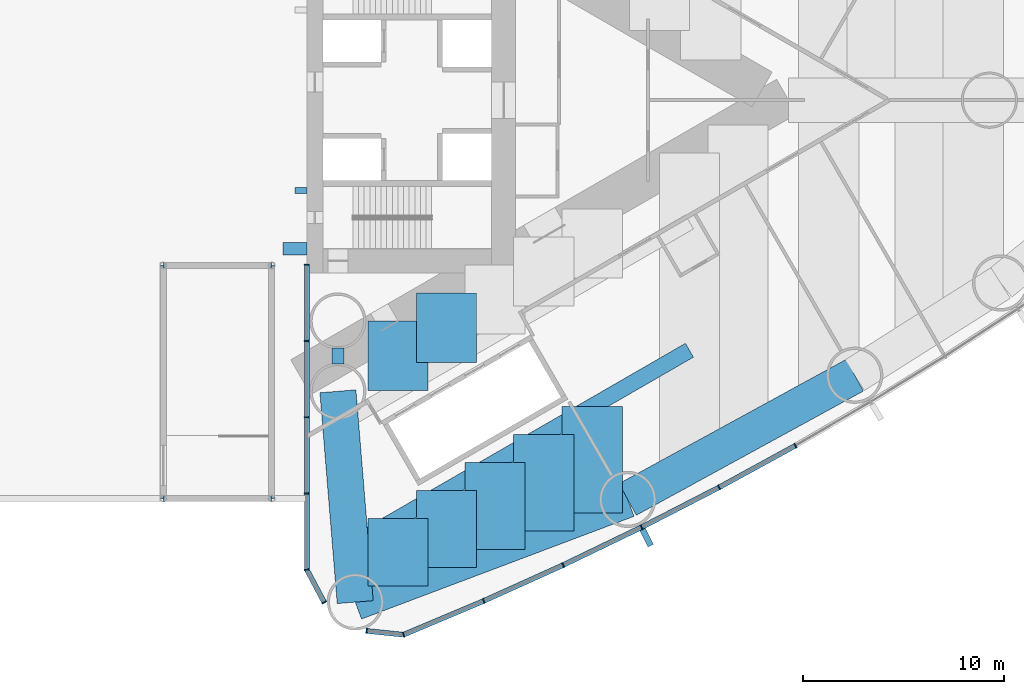
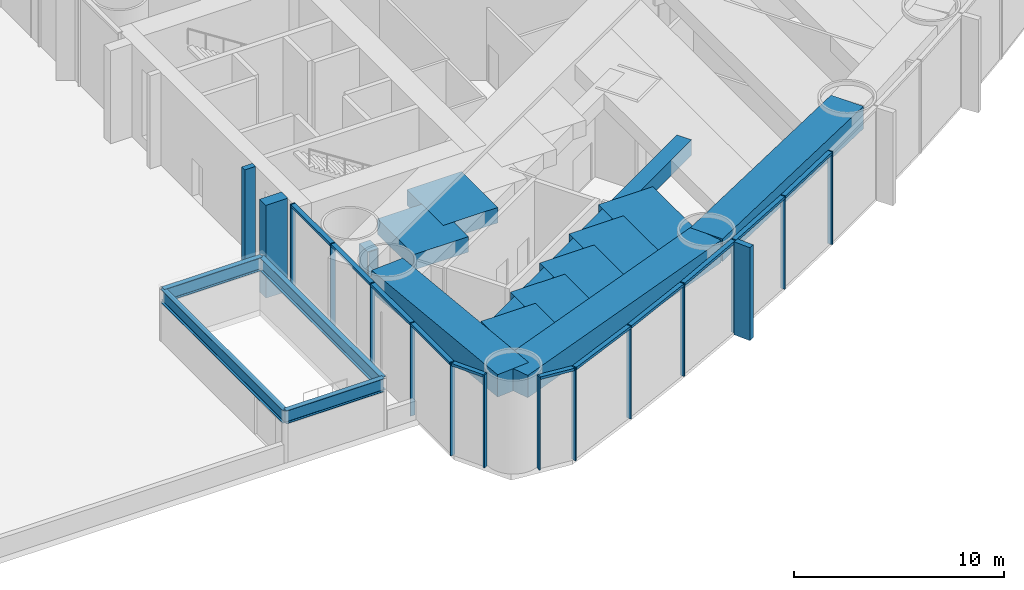
# One storey, part 10 of 23: 27 members, 16 beams, 2 elements without a shape of their own.
"""IFC4 building model written with IfcOpenShell, lengths in metres."""

from ifc_helpers import new_model, si_unit, direction, frame, origin, origin_2d, place, context, subcontext, project, spatial, rectangle, hollow_rectangle, i_section, extrude, material, material_profile, profile_set, type_object, element, aggregate, save


model = new_model("IFC4")

# Units and contexts
model_context = context("Model", 3, precision=1e-05, world=origin(), true_north=direction((0.0, 1.0)))
body_context = subcontext(model_context, "Body", "Model", "MODEL_VIEW")
ifc_project = project(units=[si_unit("LENGTHUNIT", "METRE"), si_unit("AREAUNIT", "SQUARE_METRE"), si_unit("VOLUMEUNIT", "CUBIC_METRE"), si_unit("PLANEANGLEUNIT", "RADIAN"), si_unit("MASSUNIT", "GRAM", prefix="KILO")], contexts=[model_context])

# Site, building, storey
site_placement = place(None, origin())
site = spatial("IfcSite", under=ifc_project, at=site_placement, CompositionType="ELEMENT")
building_placement = place(site_placement, origin())
building = spatial("IfcBuilding", under=site, at=building_placement, Name="Lancet Gate Hotel", CompositionType="ELEMENT")
storey_placement = place(building_placement, frame((0.0, 0.0, 12.60009765625)))
storey = spatial("IfcBuildingStorey", under=building, at=storey_placement, Name="L02", CompositionType="ELEMENT", Elevation=12.60009765625)

# Curtain wall, members
ifc_material_1 = material(Name="Aluminium curtain wall", Category="aluminium")
curtain_wall_type = type_object("IfcCurtainWallType", Name="Podium curtain wall", PredefinedType="USERDEFINED", material=ifc_material_1)
curtain_wall_1_placement = place(storey_placement, origin())
curtain_wall_1 = element("IfcCurtainWall", 1, at=curtain_wall_1_placement, inside=storey, type_object=curtain_wall_type, Name="T2 L02 curtain wall 1", ObjectType="UNITISED CURTAIN WALL", PredefinedType="USERDEFINED")
ifc_material_2 = material(Name="Aluminium mullion", Category="aluminium")
ifc_material_profile_1 = material_profile(ifc_material_2, rectangle(XDim=0.06494140625, YDim=0.25, at=origin_2d()), Name="MULLION 65x250")
ifc_profile_set_1 = profile_set([ifc_material_profile_1], Name="Aluminium mullion")
member_type_1 = type_object("IfcMemberType", Name="Aluminium mullion 65x250", PredefinedType="MULLION", material=ifc_profile_set_1)
member_1_placement = place(storey_placement, frame((27.5, -8.199951171875, 0.0), z_axis=(0.0, 0.0, 1.0), x_axis=(0.0, -1.0, 0.0)))
member_1 = element("IfcMember", 2, at=member_1_placement, type_object=member_type_1, Name="T2 L02 curtain wall 1 mullion 1", PredefinedType="MULLION", context=body_context, shape_type="SweptSolid", body=[
    extrude(rectangle(XDim=0.06494140625, YDim=0.25, at=origin_2d()), origin(), (0.0, 0.0, 1.0), 5.39990234375),
])
member_2_placement = place(storey_placement, frame((27.5, -11.99609375, 0.0), z_axis=(0.0, 0.0, 1.0), x_axis=(0.0, -1.0, 0.0)))
member_2 = element("IfcMember", 3, at=member_2_placement, type_object=member_type_1, Name="T2 L02 curtain wall 1 mullion 2", PredefinedType="MULLION", context=body_context, shape_type="SweptSolid", body=[
    extrude(rectangle(XDim=0.06494140625, YDim=0.25, at=origin_2d()), origin(), (0.0, 0.0, 1.0), 5.39990234375),
])
member_3_placement = place(storey_placement, frame((27.5, -15.79248046875, 0.0), z_axis=(0.0, 0.0, 1.0), x_axis=(0.0, -1.0, 0.0)))
member_3 = element("IfcMember", 4, at=member_3_placement, type_object=member_type_1, Name="T2 L02 curtain wall 1 mullion 3", PredefinedType="MULLION", context=body_context, shape_type="SweptSolid", body=[
    extrude(rectangle(XDim=0.06494140625, YDim=0.25, at=origin_2d()), origin(), (0.0, 0.0, 1.0), 5.39990234375),
])
member_4_placement = place(storey_placement, frame((27.5, -19.588623046875, 0.0), z_axis=(0.0, 0.0, 1.0), x_axis=(0.0, -1.0, 0.0)))
member_4 = element("IfcMember", 5, at=member_4_placement, type_object=member_type_1, Name="T2 L02 curtain wall 1 mullion 4", PredefinedType="MULLION", context=body_context, shape_type="SweptSolid", body=[
    extrude(rectangle(XDim=0.06494140625, YDim=0.25, at=origin_2d()), origin(), (0.0, 0.0, 1.0), 5.39990234375),
])
member_5_placement = place(storey_placement, frame((27.5, -23.384765625, 0.0), z_axis=(0.0, 0.0, 1.0), x_axis=(0.157751691459, -0.987478811844, 0.0)))
member_5 = element("IfcMember", 6, at=member_5_placement, type_object=member_type_1, Name="T2 L02 curtain wall 1 mullion 5", PredefinedType="MULLION", context=body_context, shape_type="SweptSolid", body=[
    extrude(rectangle(XDim=0.06494140625, YDim=0.25, at=origin_2d()), origin(), (0.0, 0.0, 1.0), 5.39990234375),
])
member_6_placement = place(storey_placement, frame((28.366455078125, -25.012451171875, 0.0), z_axis=(0.0, 0.0, 1.0), x_axis=(0.469897827284, -0.882720811987, 0.0)))
member_6 = element("IfcMember", 7, at=member_6_placement, type_object=member_type_1, Name="T2 L02 curtain wall 1 mullion 6", PredefinedType="MULLION", context=body_context, shape_type="SweptSolid", body=[
    extrude(rectangle(XDim=0.06494140625, YDim=0.25, at=origin_2d()), origin(), (0.0, 0.0, 1.0), 5.39990234375),
])

curtain_wall_2_placement = place(storey_placement, origin())
curtain_wall_2 = element("IfcCurtainWall", 8, at=curtain_wall_2_placement, inside=storey, type_object=curtain_wall_type, Name="T2 L02 curtain wall 2", ObjectType="UNITISED CURTAIN WALL", PredefinedType="USERDEFINED")
member_7_placement = place(storey_placement, frame((30.48388671875, -26.4375, 0.0), z_axis=(0.0, 0.0, 1.0), x_axis=(0.994672262412, -0.10308778001, 0.0)))
member_7 = element("IfcMember", 9, at=member_7_placement, type_object=member_type_1, Name="T2 L02 curtain wall 2 mullion 1", PredefinedType="MULLION", context=body_context, shape_type="SweptSolid", body=[
    extrude(rectangle(XDim=0.06494140625, YDim=0.25, at=origin_2d()), origin(), (0.0, 0.0, 1.0), 5.39990234375),
])
member_8_placement = place(storey_placement, frame((32.3173828125, -26.62744140625, 0.0), z_axis=(0.0, 0.0, 1.0), x_axis=(0.968721492963, 0.248150496819, 0.0)))
member_8 = element("IfcMember", 10, at=member_8_placement, type_object=member_type_1, Name="T2 L02 curtain wall 2 mullion 2", PredefinedType="MULLION", context=body_context, shape_type="SweptSolid", body=[
    extrude(rectangle(XDim=0.06494140625, YDim=0.25, at=origin_2d()), origin(), (0.0, 0.0, 1.0), 5.39990234375),
])
member_9_placement = place(storey_placement, frame((36.31494140625, -24.943603515625, 0.0), z_axis=(0.0, 0.0, 1.0), x_axis=(0.916578705089, 0.399854320193, 0.0)))
member_9 = element("IfcMember", 11, at=member_9_placement, type_object=member_type_1, Name="T2 L02 curtain wall 2 mullion 3", PredefinedType="MULLION", context=body_context, shape_type="SweptSolid", body=[
    extrude(rectangle(XDim=0.06494140625, YDim=0.25, at=origin_2d()), origin(), (0.0, 0.0, 1.0), 5.39990234375),
])
member_10_placement = place(storey_placement, frame((40.2685546875, -23.15869140625, 0.0), z_axis=(0.0, 0.0, 1.0), x_axis=(0.906104948671, 0.423052977762, 0.0)))
member_10 = element("IfcMember", 12, at=member_10_placement, type_object=member_type_1, Name="T2 L02 curtain wall 2 mullion 4", PredefinedType="MULLION", context=body_context, shape_type="SweptSolid", body=[
    extrude(rectangle(XDim=0.06494140625, YDim=0.25, at=origin_2d()), origin(), (0.0, 0.0, 1.0), 5.39990234375),
])
member_11_placement = place(storey_placement, frame((44.17529296875, -21.273681640625, 0.0), z_axis=(0.0, 0.0, 1.0), x_axis=(0.895044147438, 0.445977548917, 0.0)))
member_11 = element("IfcMember", 13, at=member_11_placement, type_object=member_type_1, Name="T2 L02 curtain wall 2 mullion 5", PredefinedType="MULLION", context=body_context, shape_type="SweptSolid", body=[
    extrude(rectangle(XDim=0.06494140625, YDim=0.25, at=origin_2d()), origin(), (0.0, 0.0, 1.0), 5.39990234375),
])
member_12_placement = place(storey_placement, frame((48.03271484375, -19.2900390625, 0.0), z_axis=(0.0, 0.0, 1.0), x_axis=(0.88340346743, 0.468613181347, 0.0)))
member_12 = element("IfcMember", 14, at=member_12_placement, type_object=member_type_1, Name="T2 L02 curtain wall 2 mullion 6", PredefinedType="MULLION", context=body_context, shape_type="SweptSolid", body=[
    extrude(rectangle(XDim=0.06494140625, YDim=0.25, at=origin_2d()), origin(), (0.0, 0.0, 1.0), 5.39990234375),
])
member_13_placement = place(storey_placement, frame((51.838623046875, -17.208740234375, 0.0), z_axis=(0.0, 0.0, 1.0), x_axis=(0.871190450382, 0.490945209941, 0.0)))
member_13 = element("IfcMember", 15, at=member_13_placement, type_object=member_type_1, Name="T2 L02 curtain wall 2 mullion 7", PredefinedType="MULLION", context=body_context, shape_type="SweptSolid", body=[
    extrude(rectangle(XDim=0.06494140625, YDim=0.25, at=origin_2d()), origin(), (0.0, 0.0, 1.0), 5.39990234375),
])

# Member
ifc_material_3 = material(Name="Aluminium transom", Category="aluminium")
ifc_material_profile_2 = material_profile(ifc_material_3, rectangle(XDim=0.25, YDim=0.14990234375, at=origin_2d()), Name="TRANSOM 250x150")
ifc_profile_set_2 = profile_set([ifc_material_profile_2], Name="Aluminium transom")
member_type_2 = type_object("IfcMemberType", Name="Aluminium transom 250x150", PredefinedType="USERDEFINED", material=ifc_profile_set_2)
member_14_placement = place(storey_placement, frame((27.5, -8.232421875, 5.324951171875), z_axis=(0.0, -1.0, 0.0), x_axis=(1.0, 0.0, 0.0)))
member_14 = element("IfcMember", 16, at=member_14_placement, type_object=member_type_2, Name="T2 L02 curtain wall 1 transom 1", ObjectType="TRANSOM", PredefinedType="USERDEFINED", context=body_context, shape_type="SweptSolid", body=[
    extrude(rectangle(XDim=0.25, YDim=0.14990234375, at=origin_2d()), origin(), (0.0, 0.0, 1.0), 3.731201171875),
])

member_15_placement = place(storey_placement, frame((27.5, -12.02880859375, 5.324951171875), z_axis=(0.0, -1.0, 0.0), x_axis=(1.0, 0.0, 0.0)))
member_15 = element("IfcMember", 17, at=member_15_placement, type_object=member_type_2, Name="T2 L02 curtain wall 1 transom 2", ObjectType="TRANSOM", PredefinedType="USERDEFINED", context=body_context, shape_type="SweptSolid", body=[
    extrude(rectangle(XDim=0.25, YDim=0.14990234375, at=origin_2d()), origin(), (0.0, 0.0, 1.0), 3.731201171875),
])

member_16_placement = place(storey_placement, frame((27.5, -15.824951171875, 5.324951171875), z_axis=(0.0, -1.0, 0.0), x_axis=(1.0, 0.0, 0.0)))
member_16 = element("IfcMember", 18, at=member_16_placement, type_object=member_type_2, Name="T2 L02 curtain wall 1 transom 3", ObjectType="TRANSOM", PredefinedType="USERDEFINED", context=body_context, shape_type="SweptSolid", body=[
    extrude(rectangle(XDim=0.25, YDim=0.14990234375, at=origin_2d()), origin(), (0.0, 0.0, 1.0), 3.731201171875),
])

member_17_placement = place(storey_placement, frame((27.5, -19.62109375, 5.324951171875), z_axis=(0.0, -1.0, 0.0), x_axis=(1.0, 0.0, 0.0)))
member_17 = element("IfcMember", 19, at=member_17_placement, type_object=member_type_2, Name="T2 L02 curtain wall 1 transom 4", ObjectType="TRANSOM", PredefinedType="USERDEFINED", context=body_context, shape_type="SweptSolid", body=[
    extrude(rectangle(XDim=0.25, YDim=0.14990234375, at=origin_2d()), origin(), (0.0, 0.0, 1.0), 3.731201171875),
])

member_18_placement = place(storey_placement, frame((27.515380859375, -23.41357421875, 5.324951171875), z_axis=(0.469904276347, -0.882717378933, 0.0), x_axis=(0.882717378933, 0.469904276347, 0.0)))
member_18 = element("IfcMember", 20, at=member_18_placement, type_object=member_type_2, Name="T2 L02 curtain wall 1 transom 5", ObjectType="TRANSOM", PredefinedType="USERDEFINED", context=body_context, shape_type="SweptSolid", body=[
    extrude(rectangle(XDim=0.25, YDim=0.14990234375, at=origin_2d()), origin(), (0.0, 0.0, 1.0), 1.779052734375),
])

aggregate(curtain_wall_1, [member_1, member_2, member_3, member_4, member_5, member_6, member_14, member_15, member_16, member_17, member_18])

member_19_placement = place(storey_placement, frame((30.516357421875, -26.440673828125, 5.324951171875), z_axis=(0.994670452051, -0.103105246306, 0.0), x_axis=(0.103105246306, 0.994670452051, 0.0)))
member_19 = element("IfcMember", 21, at=member_19_placement, type_object=member_type_2, Name="T2 L02 curtain wall 2 transom 1", ObjectType="TRANSOM", PredefinedType="USERDEFINED", context=body_context, shape_type="SweptSolid", body=[
    extrude(rectangle(XDim=0.25, YDim=0.14990234375, at=origin_2d()), origin(), (0.0, 0.0, 1.0), 1.7783203125),
])

member_20_placement = place(storey_placement, frame((32.347412109375, -26.61474609375, 5.324951171875), z_axis=(0.92159772617, 0.388146404233, 0.0), x_axis=(-0.388146404233, 0.92159772617, 0.0)))
member_20 = element("IfcMember", 22, at=member_20_placement, type_object=member_type_2, Name="T2 L02 curtain wall 2 transom 2", ObjectType="TRANSOM", PredefinedType="USERDEFINED", context=body_context, shape_type="SweptSolid", body=[
    extrude(rectangle(XDim=0.25, YDim=0.14990234375, at=origin_2d()), origin(), (0.0, 0.0, 1.0), 4.272705078125),
])

member_21_placement = place(storey_placement, frame((36.3447265625, -24.930419921875, 5.324951171875), z_axis=(0.911396871737, 0.411528543589, 0.0), x_axis=(-0.411528543589, 0.911396871737, 0.0)))
member_21 = element("IfcMember", 23, at=member_21_placement, type_object=member_type_2, Name="T2 L02 curtain wall 2 transom 3", ObjectType="TRANSOM", PredefinedType="USERDEFINED", context=body_context, shape_type="SweptSolid", body=[
    extrude(rectangle(XDim=0.25, YDim=0.14990234375, at=origin_2d()), origin(), (0.0, 0.0, 1.0), 4.272705078125),
])

member_22_placement = place(storey_placement, frame((40.2978515625, -23.14453125, 5.324951171875), z_axis=(0.900646499888, 0.434552508035, 0.0), x_axis=(-0.434552508035, 0.900646499888, 0.0)))
member_22 = element("IfcMember", 24, at=member_22_placement, type_object=member_type_2, Name="T2 L02 curtain wall 2 transom 4", ObjectType="TRANSOM", PredefinedType="USERDEFINED", context=body_context, shape_type="SweptSolid", body=[
    extrude(rectangle(XDim=0.25, YDim=0.14990234375, at=origin_2d()), origin(), (0.0, 0.0, 1.0), 4.272705078125),
])

member_23_placement = place(storey_placement, frame((44.2041015625, -21.259033203125, 5.324951171875), z_axis=(0.88929576978, 0.457332520002, 0.0), x_axis=(-0.457332520002, 0.88929576978, 0.0)))
member_23 = element("IfcMember", 25, at=member_23_placement, type_object=member_type_2, Name="T2 L02 curtain wall 2 transom 5", ObjectType="TRANSOM", PredefinedType="USERDEFINED", context=body_context, shape_type="SweptSolid", body=[
    extrude(rectangle(XDim=0.25, YDim=0.14990234375, at=origin_2d()), origin(), (0.0, 0.0, 1.0), 4.272705078125),
])

member_24_placement = place(storey_placement, frame((48.061279296875, -19.2744140625, 5.324951171875), z_axis=(0.877377528879, 0.479800658417, 0.0), x_axis=(-0.479800658417, 0.877377528879, 0.0)))
member_24 = element("IfcMember", 26, at=member_24_placement, type_object=member_type_2, Name="T2 L02 curtain wall 2 transom 6", ObjectType="TRANSOM", PredefinedType="USERDEFINED", context=body_context, shape_type="SweptSolid", body=[
    extrude(rectangle(XDim=0.25, YDim=0.14990234375, at=origin_2d()), origin(), (0.0, 0.0, 1.0), 4.272705078125),
])

# Beams
ifc_material_4 = material(Name="Concrete C50/60", Category="concrete")
ifc_material_profile_3 = material_profile(ifc_material_4, rectangle(XDim=1.800048828125, YDim=1.300048828125, at=origin_2d()), Name="RC 1800x1300")
ifc_profile_set_3 = profile_set([ifc_material_profile_3], Name="Concrete C50/60")
beam_type_1 = type_object("IfcBeamType", Name="Edge beam RC 1800x1300", PredefinedType="SPANDREL", material=ifc_profile_set_3)
beam_1_placement = place(storey_placement, frame((29.9111328125, -25.00244140625, 4.5), z_axis=(0.935736448066, 0.352700013836, 0.0), x_axis=(-0.352700013836, 0.935736448066, 0.0)))
element("IfcBeam", 27, at=beam_1_placement, inside=storey, type_object=beam_type_1, Name="T2 edge beam EB1 L02", PredefinedType="SPANDREL", context=body_context, shape_type="SweptSolid", body=[
    extrude(rectangle(XDim=1.800048828125, YDim=1.300048828125, at=origin_2d()), origin(), (0.0, 0.0, 1.0), 14.505126953125),
])
beam_2_placement = place(storey_placement, frame((43.484130859375, -19.886474609375, 4.5), z_axis=(0.87736889738, 0.479816441893, 0.0), x_axis=(-0.479816441893, 0.87736889738, 0.0)))
element("IfcBeam", 28, at=beam_2_placement, inside=storey, type_object=beam_type_1, Name="T2 edge beam EB1 L02", PredefinedType="SPANDREL", context=body_context, shape_type="SweptSolid", body=[
    extrude(rectangle(XDim=1.800048828125, YDim=1.300048828125, at=origin_2d()), origin(), (0.0, 0.0, 1.0), 12.89208984375),
])
beam_3_placement = place(storey_placement, frame((29.9111328125, -25.00244140625, 4.5), z_axis=(-0.081714744052, 0.996655758326, 0.0), x_axis=(-0.996655758326, -0.081714744052, 0.0)))
element("IfcBeam", 29, at=beam_3_placement, inside=storey, type_object=beam_type_1, Name="T2 edge beam EB1 L02", PredefinedType="SPANDREL", context=body_context, shape_type="SweptSolid", body=[
    extrude(rectangle(XDim=1.800048828125, YDim=1.300048828125, at=origin_2d()), origin(), (0.0, 0.0, 1.0), 10.53759765625),
])

# Member
ifc_material_5 = material(Name="Concrete C60/75", Category="concrete")
ifc_material_profile_4 = material_profile(ifc_material_5, rectangle(XDim=0.60009765625, YDim=1.199951171875, at=origin_2d()), Name="FIN 600x1200")
ifc_profile_set_4 = profile_set([ifc_material_profile_4], Name="Concrete C60/75")
member_type_3 = type_object("IfcMemberType", Name="Exposed concrete buttress pilaster 600x1200", PredefinedType="USERDEFINED", material=ifc_profile_set_4)
member_25_placement = place(storey_placement, frame((26.909912109375, -7.39990234375, 0.0), z_axis=(0.0, 0.0, 1.0), x_axis=(0.0, 1.0, 0.0)))
element("IfcMember", 30, at=member_25_placement, inside=storey, type_object=member_type_3, Name="T2 buttress pilaster S L02", ObjectType="FIN", PredefinedType="USERDEFINED", context=body_context, shape_type="SweptSolid", body=[
    extrude(rectangle(XDim=0.60009765625, YDim=1.199951171875, at=origin_2d()), origin(), (0.0, 0.0, 1.0), 5.39990234375),
])

ifc_material_6 = material(Name="Precast concrete C50/60", Category="concrete")
ifc_material_profile_5 = material_profile(ifc_material_6, rectangle(XDim=0.300048828125, YDim=0.89990234375, at=origin_2d()), Name="FIN 300x900")
ifc_profile_set_5 = profile_set([ifc_material_profile_5], Name="Precast concrete C50/60")
member_type_4 = type_object("IfcMemberType", Name="Exposed concrete fin 300x900", PredefinedType="USERDEFINED", material=ifc_profile_set_5)
member_26_placement = place(storey_placement, frame((44.431640625, -21.788330078125, 0.0), z_axis=(0.0, 0.0, 1.0), x_axis=(0.895044147438, 0.445977548917, 0.0)))
member_26 = element("IfcMember", 31, at=member_26_placement, type_object=member_type_4, Name="T2 L02 curtain wall 2 fin 5", ObjectType="FIN", PredefinedType="USERDEFINED", context=body_context, shape_type="SweptSolid", body=[
    extrude(rectangle(XDim=0.300048828125, YDim=0.89990234375, at=origin_2d()), origin(), (0.0, 0.0, 1.0), 5.39990234375),
])

aggregate(curtain_wall_2, [member_7, member_8, member_9, member_10, member_11, member_26, member_12, member_13, member_19, member_20, member_21, member_22, member_23, member_24])

ifc_material_7 = material(Name="Concrete C60/75", Category="concrete")
ifc_material_profile_6 = material_profile(ifc_material_7, rectangle(XDim=0.300048828125, YDim=0.60009765625, at=origin_2d()), Name="FIN 300x600")
ifc_profile_set_6 = profile_set([ifc_material_profile_6], Name="Concrete C60/75")
member_type_5 = type_object("IfcMemberType", Name="Exposed concrete rib 300x600", PredefinedType="USERDEFINED", material=ifc_profile_set_6)
member_27_placement = place(storey_placement, frame((27.2099609375, -4.5, 0.0), z_axis=(0.0, 0.0, 1.0), x_axis=(0.0, 1.0, 0.0)))
element("IfcMember", 32, at=member_27_placement, inside=storey, type_object=member_type_5, Name="T2 core rib 1 L02", ObjectType="FIN", PredefinedType="USERDEFINED", context=body_context, shape_type="SweptSolid", body=[
    extrude(rectangle(XDim=0.300048828125, YDim=0.60009765625, at=origin_2d()), origin(), (0.0, 0.0, 1.0), 5.39990234375),
])

# Beams
ifc_material_8 = material(Name="Concrete C50/60", Category="concrete")
ifc_material_profile_7 = material_profile(ifc_material_8, rectangle(XDim=3.0, YDim=0.89990234375, at=origin_2d()), Name="RC 3000x900")
ifc_profile_set_7 = profile_set([ifc_material_profile_7], Name="Concrete C50/60")
beam_type_2 = type_object("IfcBeamType", Name="Floor beam RC 3000x900", PredefinedType="BEAM", material=ifc_profile_set_7)
beam_4_placement = place(storey_placement, frame((32.04052734375, -24.199951171875, 4.699951171875), z_axis=(0.0, 1.0, 0.0), x_axis=(-1.0, 0.0, 0.0)))
element("IfcBeam", 33, at=beam_4_placement, inside=storey, type_object=beam_type_2, Name="T2 floor beam F03SA L02", PredefinedType="BEAM", context=body_context, shape_type="SweptSolid", body=[
    extrude(rectangle(XDim=3.0, YDim=0.89990234375, at=origin_2d()), origin(), (0.0, 0.0, 1.0), 3.361572265625),
])
beam_5_placement = place(storey_placement, frame((32.04052734375, -14.450927734375, 4.699951171875), z_axis=(0.0, 1.0, 0.0), x_axis=(-1.0, 0.0, 0.0)))
element("IfcBeam", 34, at=beam_5_placement, inside=storey, type_object=beam_type_2, Name="T2 floor beam F03SB L02", PredefinedType="BEAM", context=body_context, shape_type="SweptSolid", body=[
    extrude(rectangle(XDim=3.0, YDim=0.89990234375, at=origin_2d()), origin(), (0.0, 0.0, 1.0), 3.445556640625),
])
beam_6_placement = place(storey_placement, frame((34.460693359375, -23.28759765625, 4.699951171875), z_axis=(0.0, 1.0, 0.0), x_axis=(-1.0, 0.0, 0.0)))
element("IfcBeam", 35, at=beam_6_placement, inside=storey, type_object=beam_type_2, Name="T2 floor beam F05SA L02", PredefinedType="BEAM", context=body_context, shape_type="SweptSolid", body=[
    extrude(rectangle(XDim=3.0, YDim=0.89990234375, at=origin_2d()), origin(), (0.0, 0.0, 1.0), 3.846435546875),
])
beam_7_placement = place(storey_placement, frame((34.460693359375, -13.0537109375, 4.699951171875), z_axis=(0.0, 1.0, 0.0), x_axis=(-1.0, 0.0, 0.0)))
element("IfcBeam", 36, at=beam_7_placement, inside=storey, type_object=beam_type_2, Name="T2 floor beam F05SB L02", PredefinedType="BEAM", context=body_context, shape_type="SweptSolid", body=[
    extrude(rectangle(XDim=3.0, YDim=0.89990234375, at=origin_2d()), origin(), (0.0, 0.0, 1.0), 3.44580078125),
])
beam_8_placement = place(storey_placement, frame((36.880859375, -22.37548828125, 4.699951171875), z_axis=(0.0, 1.0, 0.0), x_axis=(-1.0, 0.0, 0.0)))
element("IfcBeam", 37, at=beam_8_placement, inside=storey, type_object=beam_type_2, Name="T2 floor beam F07SA L02", PredefinedType="BEAM", context=body_context, shape_type="SweptSolid", body=[
    extrude(rectangle(XDim=3.0, YDim=0.89990234375, at=origin_2d()), origin(), (0.0, 0.0, 1.0), 4.331787109375),
])
beam_9_placement = place(storey_placement, frame((39.301025390625, -21.463134765625, 4.699951171875), z_axis=(0.0, 1.0, 0.0), x_axis=(-1.0, 0.0, 0.0)))
element("IfcBeam", 38, at=beam_9_placement, inside=storey, type_object=beam_type_2, Name="T2 floor beam F09SA L02", PredefinedType="BEAM", context=body_context, shape_type="SweptSolid", body=[
    extrude(rectangle(XDim=3.0, YDim=0.89990234375, at=origin_2d()), origin(), (0.0, 0.0, 1.0), 4.816650390625),
])
beam_10_placement = place(storey_placement, frame((41.721435546875, -20.55078125, 4.699951171875), z_axis=(0.0, 1.0, 0.0), x_axis=(-1.0, 0.0, 0.0)))
element("IfcBeam", 39, at=beam_10_placement, inside=storey, type_object=beam_type_2, Name="T2 floor beam F11SA L02", PredefinedType="BEAM", context=body_context, shape_type="SweptSolid", body=[
    extrude(rectangle(XDim=3.0, YDim=0.89990234375, at=origin_2d()), origin(), (0.0, 0.0, 1.0), 5.301513671875),
])
ifc_material_9 = material(Name="Steel S460QL", Category="steel")
ifc_material_profile_8 = material_profile(ifc_material_9, hollow_rectangle(XDim=0.60009765625, YDim=1.5, WallThickness=0.050048828125, at=origin_2d()), Name="BOX 1500x600x50")
ifc_profile_set_8 = profile_set([ifc_material_profile_8], Name="Steel S460QL")
beam_type_3 = type_object("IfcBeamType", Name="Inner-face link beam BOX 1500x600x50", PredefinedType="BEAM", material=ifc_profile_set_8)
beam_11_placement = place(storey_placement, frame((29.050048828125, -13.14990234375, 4.39990234375), z_axis=(0.0, 1.0, 0.0), x_axis=(-1.0, 0.0, 0.0)))
element("IfcBeam", 40, at=beam_11_placement, inside=storey, type_object=beam_type_3, Name="T2 inner-face link beam LK1 L02", PredefinedType="BEAM", context=body_context, shape_type="SweptSolid", body=[
    extrude(hollow_rectangle(XDim=0.60009765625, YDim=1.5, WallThickness=0.050048828125, at=origin_2d()), origin(), (0.0, 0.0, 1.0), 0.7998046875),
])
ifc_material_10 = material(Name="Steel S355", Category="steel")
ifc_material_profile_9 = material_profile(ifc_material_10, i_section(OverallWidth=0.26806640625, OverallDepth=0.769775390625, WebThickness=0.015625, FlangeThickness=0.025390625, FilletRadius=0.0166015625, at=origin_2d()), Name="UKB 762x267x197")
ifc_profile_set_9 = profile_set([ifc_material_profile_9], Name="Steel S355")
beam_type_4 = type_object("IfcBeamType", Name="Podium head-house beam UKB 762x267x197", PredefinedType="BEAM", material=ifc_profile_set_9)
for number, where, z_axis, x_axis, name in (
    (41, (20.35009765625, -8.22998046875, 2.614990234375), (1.0, 0.0, 0.0), (0.0, 1.0, 0.0), "Podium stair PS5 head-house beam IN"),
    (42, (20.35009765625, -19.85009765625, 2.614990234375), (1.0, 0.0, 0.0), (0.0, 1.0, 0.0), "Podium stair PS5 head-house beam OUT"),
):
    element("IfcBeam", number, at=place(storey_placement, frame(where, z_axis=z_axis, x_axis=x_axis)), inside=storey, type_object=beam_type_4, Name=name, PredefinedType="BEAM", context=body_context, shape_type="SweptSolid", body=[
        extrude(i_section(OverallWidth=0.26806640625, OverallDepth=0.769775390625, WebThickness=0.015625, FlangeThickness=0.025390625, FilletRadius=0.0166015625, at=origin_2d()), origin(), (0.0, 0.0, 1.0), 5.39990234375),
    ])
for number, where, z_axis, x_axis, name in (
    (43, (20.35009765625, -8.22998046875, 2.614990234375), (0.0, -1.0, 0.0), (1.0, 0.0, 0.0), "Podium stair PS5 head-house beam W"),
    (44, (25.75, -8.22998046875, 2.614990234375), (0.0, -1.0, 0.0), (1.0, 0.0, 0.0), "Podium stair PS5 head-house beam E"),
):
    element("IfcBeam", number, at=place(storey_placement, frame(where, z_axis=z_axis, x_axis=x_axis)), inside=storey, type_object=beam_type_4, Name=name, PredefinedType="BEAM", context=body_context, shape_type="SweptSolid", body=[
        extrude(i_section(OverallWidth=0.26806640625, OverallDepth=0.769775390625, WebThickness=0.015625, FlangeThickness=0.025390625, FilletRadius=0.0166015625, at=origin_2d()), origin(), (0.0, 0.0, 1.0), 11.6201171875),
    ])
ifc_material_11 = material(Name="Steel S460QL", Category="steel")
ifc_material_profile_10 = material_profile(ifc_material_11, hollow_rectangle(XDim=0.800048828125, YDim=0.89990234375, WallThickness=0.080078125, at=origin_2d()), Name="BOX 900x800x80")
ifc_profile_set_10 = profile_set([ifc_material_profile_10], Name="Steel S460QL")
beam_type_5 = type_object("IfcBeamType", Name="Trimmer beam BOX 900x800x80", PredefinedType="BEAM", material=ifc_profile_set_10)
beam_12_placement = place(storey_placement, frame((29.681396484375, -22.200439453125, 4.699951171875), z_axis=(0.866031653467, 0.499989175076, 0.0), x_axis=(-0.499989175076, 0.866031653467, 0.0)))
element("IfcBeam", 45, at=beam_12_placement, inside=storey, type_object=beam_type_5, Name="T2 trimmer beam TR02S L02", PredefinedType="BEAM", context=body_context, shape_type="SweptSolid", body=[
    extrude(hollow_rectangle(XDim=0.800048828125, YDim=0.89990234375, WallThickness=0.080078125, at=origin_2d()), origin(), (0.0, 0.0, 1.0), 19.49169921875),
])

save(model, "model.ifc")
